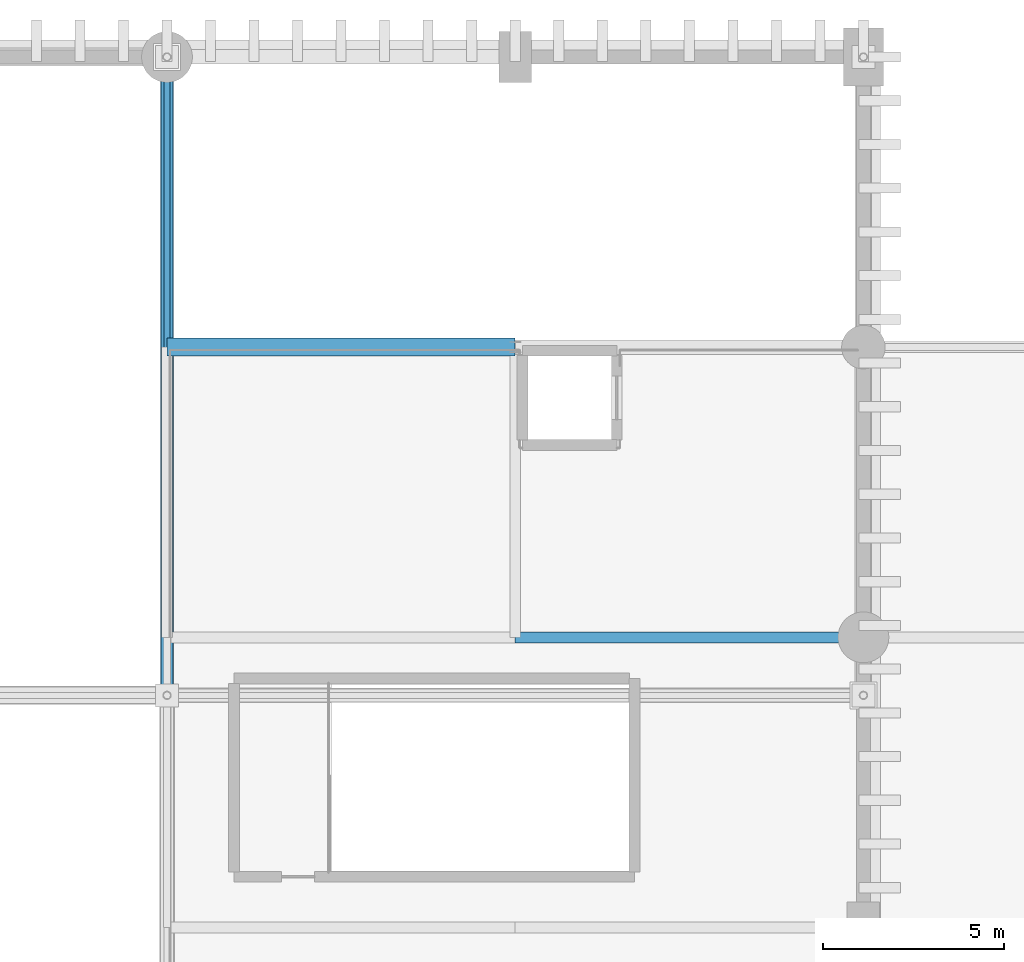
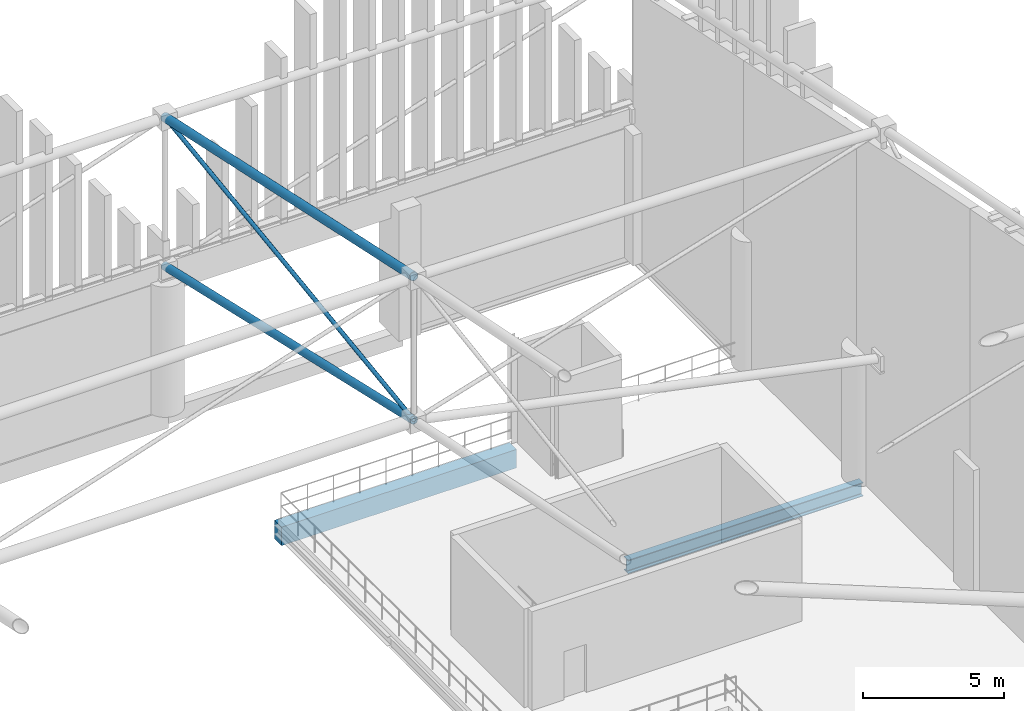
# One storey, part 133 of 193: 3 members, 2 beams.
"""IFC4 building model written with IfcOpenShell, lengths in metres."""

from ifc_helpers import new_model, si_unit, direction, frame, origin, origin_2d, place, context, subcontext, project, spatial, rectangle, hollow_circle, i_section, extrude, material, material_profile, profile_set, type_object, element, save


model = new_model("IFC4")

# Units and contexts
model_context = context("Model", 3, precision=1e-05, world=origin(), true_north=direction((0.0, 1.0)))
body_context = subcontext(model_context, "Body", "Model", "MODEL_VIEW")
ifc_project = project(units=[si_unit("LENGTHUNIT", "METRE"), si_unit("AREAUNIT", "SQUARE_METRE"), si_unit("VOLUMEUNIT", "CUBIC_METRE"), si_unit("PLANEANGLEUNIT", "RADIAN"), si_unit("MASSUNIT", "GRAM", prefix="KILO")], contexts=[model_context])

# Site, building, storey
site_placement = place(None, origin())
site = spatial("IfcSite", under=ifc_project, at=site_placement, CompositionType="ELEMENT")
building_placement = place(site_placement, origin())
building = spatial("IfcBuilding", under=site, at=building_placement, Name="Danafjord Basin Convention Centre", CompositionType="ELEMENT")
storey_placement = place(building_placement, frame((0.0, 0.0, 11.39990234375)))
storey = spatial("IfcBuildingStorey", under=building, at=storey_placement, Name="L02", CompositionType="ELEMENT", Elevation=11.39990234375)

# Beams
ifc_material_1 = material(Name="Steel S355", Category="steel")
ifc_material_profile_1 = material_profile(ifc_material_1, i_section(OverallWidth=0.300048828125, OverallDepth=0.590087890625, WebThickness=0.012939453125, FlangeThickness=0.02490234375, FilletRadius=0.027099609375, at=origin_2d()), Name="HEA 600")
ifc_profile_set_1 = profile_set([ifc_material_profile_1], Name="Steel S355")
beam_type_1 = type_object("IfcBeamType", Name="BEAM-BM-HEA600", PredefinedType="BEAM", material=ifc_profile_set_1)
beam_1_placement = place(storey_placement, frame((105.60009765625, 128.0, -0.52490234375), z_axis=(1.0, 0.0, 0.0), x_axis=(0.0, 1.0, 0.0)))
element("IfcBeam", 1, at=beam_1_placement, inside=storey, type_object=beam_type_1, Name="L02 girder BM-HEA600", PredefinedType="BEAM", context=body_context, shape_type="SweptSolid", body=[
    extrude(i_section(OverallWidth=0.300048828125, OverallDepth=0.590087890625, WebThickness=0.012939453125, FlangeThickness=0.02490234375, FilletRadius=0.027099609375, at=origin_2d()), origin(), (0.0, 0.0, 1.0), 9.599853515625),
])
ifc_material_2 = material(Name="Precast concrete C45/55", Category="concrete")
ifc_material_profile_2 = material_profile(ifc_material_2, rectangle(XDim=0.5, YDim=0.800048828125, at=origin_2d()), Name="PCB 500x800")
ifc_profile_set_2 = profile_set([ifc_material_profile_2], Name="Precast concrete C45/55")
beam_type_2 = type_object("IfcBeamType", Name="BEAM-SP-PCB800", PredefinedType="SPANDREL", material=ifc_profile_set_2)
beam_2_placement = place(storey_placement, frame((96.0, 136.0, -0.6298828125), z_axis=(1.0, 0.0, 0.0), x_axis=(0.0, 1.0, 0.0)))
element("IfcBeam", 2, at=beam_2_placement, inside=storey, type_object=beam_type_2, Name="L02 girder SP-PCB800", PredefinedType="SPANDREL", context=body_context, shape_type="SweptSolid", body=[
    extrude(rectangle(XDim=0.5, YDim=0.800048828125, at=origin_2d()), origin(), (0.0, 0.0, 1.0), 9.60009765625),
])

# Members
ifc_material_profile_3 = material_profile(ifc_material_1, hollow_circle(Radius=0.161865234375, WallThickness=0.01611328125, at=origin_2d()), Name="CHS 323.9x16.0")
ifc_profile_set_3 = profile_set([ifc_material_profile_3], Name="Steel S355")
member_type_1 = type_object("IfcMemberType", Name="MEM-CH-CHS324", PredefinedType="CHORD", material=ifc_profile_set_3)
member_1_placement = place(storey_placement, frame((96.0, 126.39990234375, 10.07080078125), z_axis=(0.0, 0.97488409866, -0.222712806503), x_axis=(-1.0, 0.0, 0.0)))
element("IfcMember", 3, at=member_1_placement, inside=storey, type_object=member_type_1, Name="V1 roof truss transverse bottom chord", PredefinedType="CHORD", context=body_context, shape_type="SweptSolid", body=[
    extrude(hollow_circle(Radius=0.161865234375, WallThickness=0.01611328125, at=origin_2d()), origin(), (0.0, 0.0, 1.0), 18.053466796875),
])
ifc_material_profile_4 = material_profile(ifc_material_1, hollow_circle(Radius=0.177734375, WallThickness=0.01611328125, at=origin_2d()), Name="CHS 355.6x16.0")
ifc_profile_set_4 = profile_set([ifc_material_profile_4], Name="Steel S355")
member_type_2 = type_object("IfcMemberType", Name="MEM-CH-CHS355", PredefinedType="CHORD", material=ifc_profile_set_4)
member_2_placement = place(storey_placement, frame((96.0, 126.39990234375, 16.27099609375), z_axis=(0.0, 0.977523345498, -0.210827201773), x_axis=(-1.0, 0.0, 0.0)))
element("IfcMember", 4, at=member_2_placement, inside=storey, type_object=member_type_2, Name="V1 roof truss transverse top chord", PredefinedType="CHORD", context=body_context, shape_type="SweptSolid", body=[
    extrude(hollow_circle(Radius=0.177734375, WallThickness=0.01611328125, at=origin_2d()), origin(), (0.0, 0.0, 1.0), 18.0048828125),
])
ifc_material_profile_5 = material_profile(ifc_material_1, hollow_circle(Radius=0.084228515625, WallThickness=0.008056640625, at=origin_2d()), Name="CHS 168.3x8.0")
ifc_profile_set_5 = profile_set([ifc_material_profile_5], Name="Steel S355")
member_type_3 = type_object("IfcMemberType", Name="MEM-WB-CHS168", PredefinedType="MEMBER", material=ifc_profile_set_5)
member_3_placement = place(storey_placement, frame((96.0, 126.39990234375, 10.07080078125), z_axis=(0.0, 0.990797856926, 0.13534994167), x_axis=(-1.0, 0.0, 0.0)))
element("IfcMember", 5, at=member_3_placement, inside=storey, type_object=member_type_3, Name="V1 space-frame transverse web", PredefinedType="MEMBER", context=body_context, shape_type="SweptSolid", body=[
    extrude(hollow_circle(Radius=0.084228515625, WallThickness=0.008056640625, at=origin_2d()), origin(), (0.0, 0.0, 1.0), 17.763671875),
])

save(model, "model.ifc")
